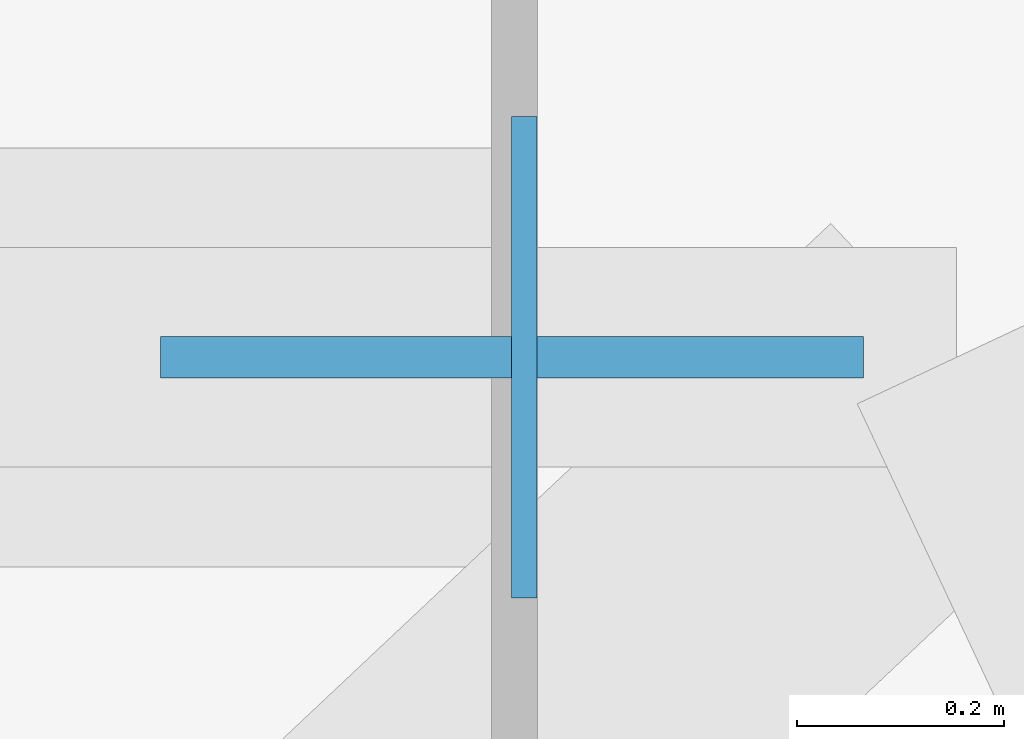
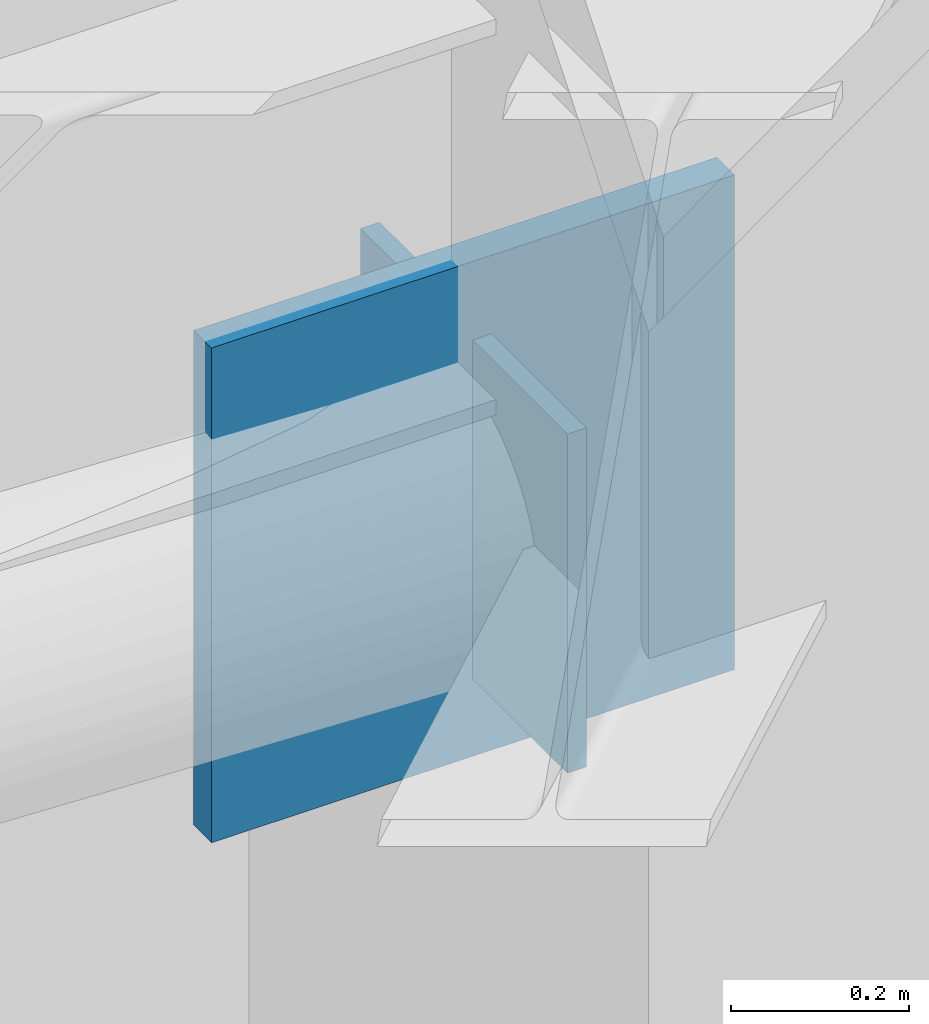
# One storey, part 4 of 12: 2 plates.
"""IFC4 building model written with IfcOpenShell, lengths in metres."""

from ifc_helpers import new_model, si_unit, direction, frame, origin, origin_2d, place, context, subcontext, project, spatial, rectangle, extrude, material, layer, layer_set, type_object, element, save


model = new_model("IFC4")

# Units and contexts
model_context = context("Model", 3, precision=1e-05, world=origin(), true_north=direction((0.0, 1.0)))
body_context = subcontext(model_context, "Body", "Model", "MODEL_VIEW")
ifc_project = project(units=[si_unit("LENGTHUNIT", "METRE"), si_unit("AREAUNIT", "SQUARE_METRE"), si_unit("VOLUMEUNIT", "CUBIC_METRE"), si_unit("PLANEANGLEUNIT", "RADIAN"), si_unit("MASSUNIT", "GRAM", prefix="KILO")], contexts=[model_context])

# Site, building, storey
site_placement = place(None, origin())
site = spatial("IfcSite", under=ifc_project, at=site_placement, CompositionType="ELEMENT")
building_placement = place(site_placement, origin())
building = spatial("IfcBuilding", under=site, at=building_placement, Name="Khamvora Tower", CompositionType="ELEMENT")
storey_placement = place(building_placement, frame((0.0, 0.0, 177.800048828125)))
storey = spatial("IfcBuildingStorey", under=building, at=storey_placement, Name="L45", CompositionType="ELEMENT", Elevation=177.800048828125)

# Plates
ifc_material_1 = material(Name="Steel S355", Category="steel")
ifc_layer_1 = layer(ifc_material_1, 0.02490234375)
ifc_layer_set_1 = layer_set([ifc_layer_1], Name="Steel S355")
plate_type_1 = type_object("IfcPlateType", Name="PL-CAP-25", PredefinedType="SHEET", material=ifc_layer_set_1)
plate_1_placement = place(storey_placement, frame((56.33203125, 44.5, 2.4638671875), z_axis=(0.0, 0.0, 1.0), x_axis=(-1.0, 0.0, 0.0)))
element("IfcPlate", 1, at=plate_1_placement, inside=storey, type_object=plate_type_1, Name="L45 hollow section steel end cap plate 0962", PredefinedType="SHEET", context=body_context, shape_type="SweptSolid", body=[
    extrude(rectangle(XDim=0.02490234375, YDim=0.466064453125, at=origin_2d()), origin(), (0.0, 0.0, 1.0), 0.466064453125),
])
ifc_material_2 = material(Name="Steel S460", Category="steel")
ifc_layer_2 = layer(ifc_material_2, 0.0400390625)
ifc_layer_set_2 = layer_set([ifc_layer_2], Name="Steel S460")
plate_type_2 = type_object("IfcPlateType", Name="PLT-GUS-40", PredefinedType="SHEET", material=ifc_layer_set_2)
plate_2_placement = place(storey_placement, frame((56.320068359375, 44.5, 2.35791015625), z_axis=(0.0, 0.0, 1.0), x_axis=(1.0, 0.0, 0.0)))
element("IfcPlate", 2, at=plate_2_placement, inside=storey, type_object=plate_type_2, Name="L45 brace connection node gusset plate 0299", PredefinedType="SHEET", context=body_context, shape_type="SweptSolid", body=[
    extrude(rectangle(XDim=0.679931640625, YDim=0.0400390625, at=origin_2d()), origin(), (0.0, 0.0, 1.0), 0.679931640625),
])

save(model, "model.ifc")
